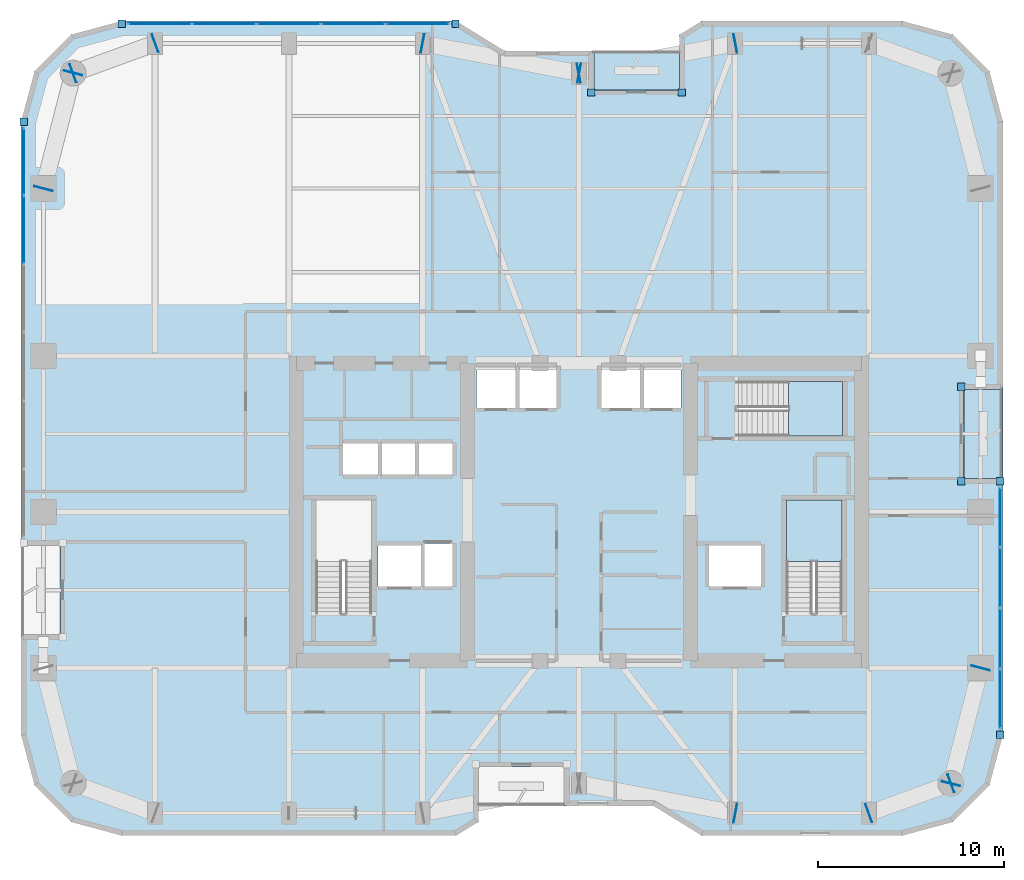
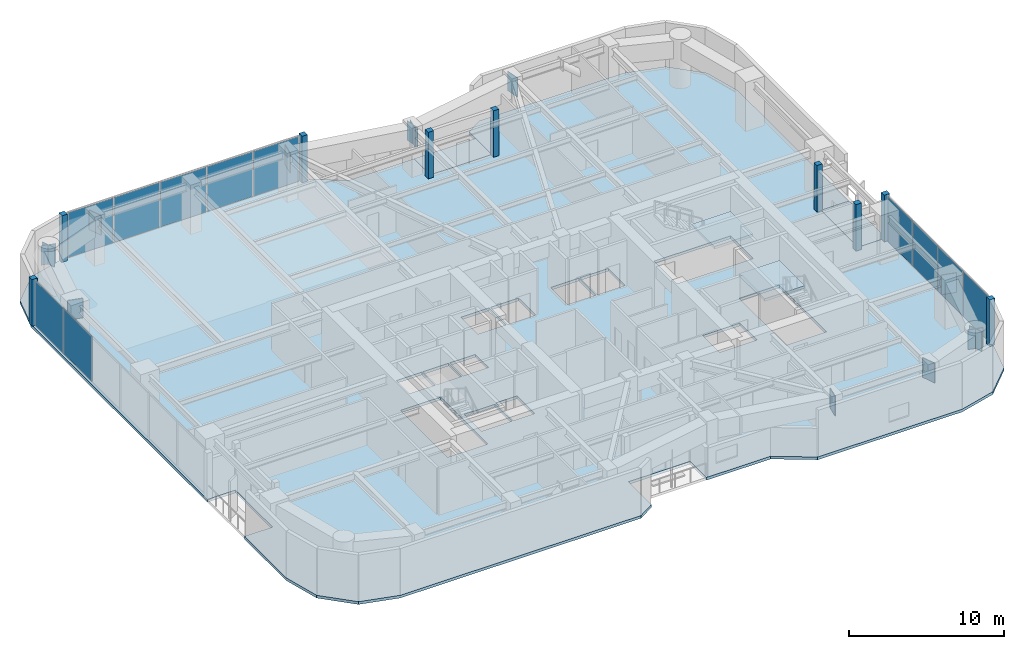
# One storey, part 22 of 30: 33 plates, 5 slabs, 5 elements without a shape of their own.
"""IFC4 building model written with IfcOpenShell, lengths in metres."""

from ifc_helpers import new_model, si_unit, direction, frame, origin, origin_2d, place, context, subcontext, project, spatial, polyline, rectangle, outline, extrude, material, layer, layer_set, type_object, element, aggregate, save


model = new_model("IFC4")

# Units and contexts
model_context = context("Model", 3, precision=1e-05, world=origin(), true_north=direction((0.0, 1.0)))
body_context = subcontext(model_context, "Body", "Model", "MODEL_VIEW")
ifc_project = project(units=[si_unit("LENGTHUNIT", "METRE"), si_unit("AREAUNIT", "SQUARE_METRE"), si_unit("VOLUMEUNIT", "CUBIC_METRE"), si_unit("PLANEANGLEUNIT", "RADIAN"), si_unit("MASSUNIT", "GRAM", prefix="KILO")], contexts=[model_context])

# Site, building, storey
site_placement = place(None, origin())
site = spatial("IfcSite", under=ifc_project, at=site_placement, CompositionType="ELEMENT")
building_placement = place(site_placement, origin())
building = spatial("IfcBuilding", under=site, at=building_placement, Name="Kiyonajd Concourse Tower", CompositionType="ELEMENT")
storey_placement = place(building_placement, frame((0.0, 0.0, 154.5)))
storey = spatial("IfcBuildingStorey", under=building, at=storey_placement, Name="L39", CompositionType="ELEMENT", Elevation=154.5)

# Plates
ifc_material_1 = material(Name="Steel ASTM A572 Grade 50", Category="steel")
ifc_layer_1 = layer(ifc_material_1, 0.031982421875)
ifc_layer_set_1 = layer_set([ifc_layer_1], Name="Steel ASTM A572 Grade 50")
plate_type_1 = type_object("IfcPlateType", Name="PL-CAP-540", PredefinedType="USERDEFINED", material=ifc_layer_set_1)
for number, where, z_axis, x_axis, name in (
    (1, (56.410888671875, 19.7978515625, 2.2099609375), (0.0, 0.0, 1.0), (0.982352599301, -0.187038420242, 0.0), "L39 Welded Box Girder End Cap"),
    (2, (63.589599609375, 19.796142578125, 2.2099609375), (0.0, 0.0, 1.0), (-0.939811951086, -0.341692107891, 0.0), "L39 Welded Box Girder End Cap"),
    (3, (68.01025390625, 21.40380859375, 2.2099609375), (0.0, 0.0, 1.0), (0.939811951086, 0.341692107891, 0.0), "L39 Welded Box Girder End Cap"),
    (4, (67.997314453125, 21.389404296875, 2.2099609375), (0.0, 0.0, 1.0), (-0.249873048837, -0.968278606324, 0.0), "L39 Welded Box Girder End Cap"),
    (5, (69.602783203125, 27.610595703125, 2.2099609375), (0.0, 0.0, 1.0), (0.249873048837, 0.968278606324, 0.0), "L39 Welded Box Girder End Cap"),
    (6, (56.410888671875, 61.2021484375, 2.2099609375), (0.0, 0.0, 1.0), (0.982352599301, 0.187038420242, 0.0), "L39 Welded Box Girder End Cap"),
    (7, (47.9892578125, 59.597900390625, 2.2099609375), (0.0, 0.0, 1.0), (-0.982352599301, -0.187038420242, 0.0), "L39 Welded Box Girder End Cap"),
    (8, (48.0107421875, 59.597900390625, 2.2099609375), (0.0, 0.0, 1.0), (0.982352599301, -0.187038420242, 0.0), "L39 Welded Box Girder End Cap"),
    (9, (39.589111328125, 61.2021484375, 2.2099609375), (0.0, 0.0, 1.0), (-0.982352599301, 0.187038420242, 0.0), "L39 Welded Box Girder End Cap"),
    (10, (25.210205078125, 61.203857421875, 2.2099609375), (0.0, 0.0, 1.0), (0.939811951086, 0.341692107891, 0.0), "L39 Welded Box Girder End Cap"),
    (11, (20.789794921875, 59.59619140625, 2.2099609375), (0.0, 0.0, 1.0), (-0.939811951086, -0.341692107891, 0.0), "L39 Welded Box Girder End Cap"),
    (12, (20.802734375, 59.610595703125, 2.2099609375), (0.0, 0.0, 1.0), (0.249873048837, 0.968278606324, 0.0), "L39 Welded Box Girder End Cap"),
    (13, (19.197265625, 53.389404296875, 2.2099609375), (0.0, 0.0, 1.0), (-0.249873048837, -0.968278606324, 0.0), "L39 Welded Box Girder End Cap"),
):
    element("IfcPlate", number, at=place(storey_placement, frame(where, z_axis=z_axis, x_axis=x_axis)), inside=storey, type_object=plate_type_1, Name=name, ObjectType="CAP PLATE", PredefinedType="USERDEFINED", context=body_context, shape_type="SweptSolid", body=[
        extrude(rectangle(XDim=0.035888671875, YDim=1.02001953125, at=origin_2d()), origin(), (0.0, 0.0, 1.0), 1.5400390625),
    ])

# Curtain wall, plates
ifc_material_2 = material(Name="Thermally Broken Anodised Aluminium", Category="aluminium")
ifc_layer_2 = layer(ifc_material_2, 0.179931640625)
ifc_layer_set_2 = layer_set([ifc_layer_2], Name="Thermally Broken Anodised Aluminium")
curtain_wall_type = type_object("IfcCurtainWallType", Name="CW-SYS-03", PredefinedType="NOTDEFINED", material=ifc_layer_set_2)
curtain_wall_1_placement = place(storey_placement, origin())
curtain_wall_1 = element("IfcCurtainWall", 14, at=curtain_wall_1_placement, inside=storey, type_object=curtain_wall_type, Name="L39 Unitised Curtain Wall CW3", PredefinedType="NOTDEFINED")
ifc_material_3 = material(Name="Double Low-E Insulated Glass", Category="glass")
ifc_layer_3 = layer(ifc_material_3, 0.033935546875)
ifc_layer_set_3 = layer_set([ifc_layer_3], Name="Double Low-E Insulated Glass")
plate_type_2 = type_object("IfcPlateType", Name="PL-CW-VIS34", PredefinedType="CURTAIN_PANEL", material=ifc_layer_set_3)
plate_1_placement = place(storey_placement, frame((18.139892578125, 51.17626953125, 0.06494140625), z_axis=(0.0, 0.0, 1.0), x_axis=(0.0, 1.0, 0.0)))
plate_1 = element("IfcPlate", 15, at=plate_1_placement, type_object=plate_type_2, Name="CW3 panel 5.1", PredefinedType="CURTAIN_PANEL", context=body_context, shape_type="SweptSolid", body=[
    extrude(rectangle(XDim=3.61181640625, YDim=0.033935546875, at=origin_2d()), origin(), (0.0, 0.0, 1.0), 3.550048828125),
])
plate_2_placement = place(storey_placement, frame((18.139892578125, 54.8369140625, 0.06494140625), z_axis=(0.0, 0.0, 1.0), x_axis=(0.0, 1.0, 0.0)))
plate_2 = element("IfcPlate", 16, at=plate_2_placement, type_object=plate_type_2, Name="CW3 panel 6.1", PredefinedType="CURTAIN_PANEL", context=body_context, shape_type="SweptSolid", body=[
    extrude(rectangle(XDim=3.579345703125, YDim=0.033935546875, at=origin_2d()), origin(), (0.0, 0.0, 1.0), 3.550048828125),
])
aggregate(curtain_wall_1, [plate_1, plate_2])

curtain_wall_2_placement = place(storey_placement, origin())
curtain_wall_2 = element("IfcCurtainWall", 17, at=curtain_wall_2_placement, inside=storey, type_object=curtain_wall_type, Name="L39 Unitised Curtain Wall CW3", PredefinedType="NOTDEFINED")
plate_3_placement = place(storey_placement, frame((25.4609375, 62.260009765625, 0.06494140625), z_axis=(0.0, 0.0, 1.0), x_axis=(1.0, 0.0, 0.0)))
plate_3 = element("IfcPlate", 18, at=plate_3_placement, type_object=plate_type_2, Name="CW3 panel 1.1", PredefinedType="CURTAIN_PANEL", context=body_context, shape_type="SweptSolid", body=[
    extrude(rectangle(XDim=3.375, YDim=0.033935546875, at=origin_2d()), origin(), (0.0, 0.0, 1.0), 3.550048828125),
])
plate_4_placement = place(storey_placement, frame((28.9169921875, 62.260009765625, 0.06494140625), z_axis=(0.0, 0.0, 1.0), x_axis=(1.0, 0.0, 0.0)))
plate_4 = element("IfcPlate", 19, at=plate_4_placement, type_object=plate_type_2, Name="CW3 panel 2.1", PredefinedType="CURTAIN_PANEL", context=body_context, shape_type="SweptSolid", body=[
    extrude(rectangle(XDim=3.407470703125, YDim=0.033935546875, at=origin_2d()), origin(), (0.0, 0.0, 1.0), 3.550048828125),
])
plate_5_placement = place(storey_placement, frame((32.389404296875, 62.260009765625, 0.06494140625), z_axis=(0.0, 0.0, 1.0), x_axis=(1.0, 0.0, 0.0)))
plate_5 = element("IfcPlate", 20, at=plate_5_placement, type_object=plate_type_2, Name="CW3 panel 3.1", PredefinedType="CURTAIN_PANEL", context=body_context, shape_type="SweptSolid", body=[
    extrude(rectangle(XDim=3.407470703125, YDim=0.033935546875, at=origin_2d()), origin(), (0.0, 0.0, 1.0), 3.550048828125),
])
plate_6_placement = place(storey_placement, frame((35.86181640625, 62.260009765625, 0.06494140625), z_axis=(0.0, 0.0, 1.0), x_axis=(1.0, 0.0, 0.0)))
plate_6 = element("IfcPlate", 21, at=plate_6_placement, type_object=plate_type_2, Name="CW3 panel 4.1", PredefinedType="CURTAIN_PANEL", context=body_context, shape_type="SweptSolid", body=[
    extrude(rectangle(XDim=3.407470703125, YDim=0.033935546875, at=origin_2d()), origin(), (0.0, 0.0, 1.0), 3.550048828125),
])
plate_7_placement = place(storey_placement, frame((39.31787109375, 62.260009765625, 0.06494140625), z_axis=(0.0, 0.0, 1.0), x_axis=(1.0, 0.0, 0.0)))
plate_7 = element("IfcPlate", 22, at=plate_7_placement, type_object=plate_type_2, Name="CW3 panel 5.1", PredefinedType="CURTAIN_PANEL", context=body_context, shape_type="SweptSolid", body=[
    extrude(rectangle(XDim=3.375, YDim=0.033935546875, at=origin_2d()), origin(), (0.0, 0.0, 1.0), 3.550048828125),
])
aggregate(curtain_wall_2, [plate_3, plate_4, plate_5, plate_6, plate_7])

curtain_wall_3_placement = place(storey_placement, origin())
curtain_wall_3 = element("IfcCurtainWall", 23, at=curtain_wall_3_placement, inside=storey, type_object=curtain_wall_type, Name="L39 Unitised Curtain Wall CW3", PredefinedType="NOTDEFINED")
plate_8_placement = place(storey_placement, frame((70.659912109375, 35.720947265625, 0.06494140625), z_axis=(0.0, 0.0, 1.0), x_axis=(0.0, -1.0, 0.0)))
plate_8 = element("IfcPlate", 24, at=plate_8_placement, type_object=plate_type_2, Name="CW3 panel 1.1", PredefinedType="CURTAIN_PANEL", context=body_context, shape_type="SweptSolid", body=[
    extrude(rectangle(XDim=3.16796875, YDim=0.033935546875, at=origin_2d()), origin(), (0.0, 0.0, 1.0), 3.550048828125),
])
plate_9_placement = place(storey_placement, frame((70.659912109375, 32.471923828125, 0.06494140625), z_axis=(0.0, 0.0, 1.0), x_axis=(0.0, -1.0, 0.0)))
plate_9 = element("IfcPlate", 25, at=plate_9_placement, type_object=plate_type_2, Name="CW3 panel 2.1", PredefinedType="CURTAIN_PANEL", context=body_context, shape_type="SweptSolid", body=[
    extrude(rectangle(XDim=3.200439453125, YDim=0.033935546875, at=origin_2d()), origin(), (0.0, 0.0, 1.0), 3.550048828125),
])
plate_10_placement = place(storey_placement, frame((70.659912109375, 29.20654296875, 0.06494140625), z_axis=(0.0, 0.0, 1.0), x_axis=(0.0, -1.0, 0.0)))
plate_10 = element("IfcPlate", 26, at=plate_10_placement, type_object=plate_type_2, Name="CW3 panel 3.1", PredefinedType="CURTAIN_PANEL", context=body_context, shape_type="SweptSolid", body=[
    extrude(rectangle(XDim=3.200439453125, YDim=0.033935546875, at=origin_2d()), origin(), (0.0, 0.0, 1.0), 3.550048828125),
])
plate_11_placement = place(storey_placement, frame((70.659912109375, 25.957275390625, 0.06494140625), z_axis=(0.0, 0.0, 1.0), x_axis=(0.0, -1.0, 0.0)))
plate_11 = element("IfcPlate", 27, at=plate_11_placement, type_object=plate_type_2, Name="CW3 panel 4.1", PredefinedType="CURTAIN_PANEL", context=body_context, shape_type="SweptSolid", body=[
    extrude(rectangle(XDim=3.16796875, YDim=0.033935546875, at=origin_2d()), origin(), (0.0, 0.0, 1.0), 3.550048828125),
])
aggregate(curtain_wall_3, [plate_8, plate_9, plate_10, plate_11])

# Plates
ifc_layer_4 = layer(ifc_material_2, 0.39990234375)
ifc_layer_set_4 = layer_set([ifc_layer_4], Name="Thermally Broken Anodised Aluminium")
plate_type_3 = type_object("IfcPlateType", Name="PL-JMB-400", PredefinedType="USERDEFINED", material=ifc_layer_set_4)
for number, where, z_axis, x_axis, name in (
    (28, (18.139892578125, 56.981689453125, 0.0), (0.0, 0.0, 1.0), (1.0, 0.0, 0.0), "L39 Facade Jamb Closure Plate 04"),
    (29, (23.41845703125, 62.260009765625, 0.0), (0.0, 0.0, 1.0), (1.0, 0.0, 0.0), "L39 Facade Jamb Closure Plate 05"),
    (30, (41.3603515625, 62.260009765625, 0.0), (0.0, 0.0, 1.0), (1.0, 0.0, 0.0), "L39 Facade Jamb Closure Plate 06"),
    (31, (48.659912109375, 58.56005859375, 0.0), (0.0, 0.0, 1.0), (1.0, 0.0, 0.0), "L39 Facade Jamb Closure Plate 07"),
    (32, (53.5400390625, 58.56005859375, 0.0), (0.0, 0.0, 1.0), (1.0, 0.0, 0.0), "L39 Facade Jamb Closure Plate 08"),
    (33, (68.56005859375, 42.739990234375, 0.0), (0.0, 0.0, 1.0), (1.0, 0.0, 0.0), "L39 Facade Jamb Closure Plate 09"),
    (34, (68.56005859375, 37.659912109375, 0.0), (0.0, 0.0, 1.0), (1.0, 0.0, 0.0), "L39 Facade Jamb Closure Plate 10"),
    (35, (70.659912109375, 37.659912109375, 0.0), (0.0, 0.0, 1.0), (1.0, 0.0, 0.0), "L39 Facade Jamb Closure Plate 11"),
    (36, (70.659912109375, 24.018310546875, 0.0), (0.0, 0.0, 1.0), (1.0, 0.0, 0.0), "L39 Facade Jamb Closure Plate 12"),
):
    element("IfcPlate", number, at=place(storey_placement, frame(where, z_axis=z_axis, x_axis=x_axis)), inside=storey, type_object=plate_type_3, Name=name, ObjectType="JAMB PLATE", PredefinedType="USERDEFINED", context=body_context, shape_type="SweptSolid", body=[
        extrude(rectangle(XDim=0.39990234375, YDim=0.39990234375, at=origin_2d()), origin(), (0.0, 0.0, 1.0), 3.679931640625),
    ])

# Stair, slab
ifc_material_4 = material(Name="Concrete C40/50", Category="concrete")
stair_type = type_object("IfcStairType", Name="ST-DLG-22R", PredefinedType="HALF_TURN_STAIR", material=ifc_material_4)
stair_1_placement = place(storey_placement, origin())
stair_1 = element("IfcStair", 37, at=stair_1_placement, inside=storey, type_object=stair_type, Name="L39 Protected Exit Stair ST2", PredefinedType="HALF_TURN_STAIR")
ifc_layer_5 = layer(ifc_material_4, 0.199951171875)
ifc_layer_set_5 = layer_set([ifc_layer_5], Name="Concrete C40/50")
slab_type_1 = type_object("IfcSlabType", Name="SL-LND-200", PredefinedType="LANDING", material=ifc_layer_set_5)
slab_1_placement = place(storey_placement, frame((0.0, 0.0, 1.75)))
slab_1 = element("IfcSlab", 38, at=slab_1_placement, type_object=slab_type_1, Name="ST2 landing 1", PredefinedType="LANDING", context=body_context, shape_type="SweptSolid", body=[
    extrude(outline(polyline([(62.14990234375, 33.35009765625), (62.14990234375, 36.64990234375), (59.14990234375, 36.64990234375), (59.14990234375, 33.35009765625), (62.14990234375, 33.35009765625)])), origin(), (0.0, 0.0, 1.0), 0.199951171875),
])
aggregate(stair_1, [slab_1])

stair_2_placement = place(storey_placement, origin())
stair_2 = element("IfcStair", 39, at=stair_2_placement, inside=storey, type_object=stair_type, Name="L39 Protected Exit Stair ST3", PredefinedType="HALF_TURN_STAIR")
slab_2_placement = place(storey_placement, frame((0.0, 0.0, 1.75)))
slab_2 = element("IfcSlab", 40, at=slab_2_placement, type_object=slab_type_1, Name="ST3 landing 1", PredefinedType="LANDING", context=body_context, shape_type="SweptSolid", body=[
    extrude(outline(polyline([(59.280029296875, 40.080078125), (62.179931640625, 40.080078125), (62.179931640625, 43.02001953125), (59.280029296875, 43.02001953125), (59.280029296875, 40.080078125)])), origin(), (0.0, 0.0, 1.0), 0.199951171875),
])
aggregate(stair_2, [slab_2])

# Slabs
ifc_material_5 = material(Name="Precast concrete C50/60", Category="concrete")
ifc_layer_6 = layer(ifc_material_5, 0.199951171875)
ifc_layer_set_6 = layer_set([ifc_layer_6], Name="Precast concrete C50/60")
slab_type_2 = type_object("IfcSlabType", Name="SL-LOG-200", PredefinedType="FLOOR", material=ifc_layer_set_6)
slab_3_placement = place(storey_placement, frame((0.0, 0.0, -0.199951171875)))
element("IfcSlab", 41, at=slab_3_placement, inside=storey, type_object=slab_type_2, Name="L39 Recessed Engawa Loggia Terrace Slab LOG-N", PredefinedType="FLOOR", context=body_context, shape_type="SweptSolid", body=[
    extrude(outline(polyline([(48.800048828125, 58.699951171875), (53.39990234375, 58.699951171875), (53.39990234375, 60.800048828125), (48.800048828125, 60.800048828125), (48.800048828125, 58.699951171875)])), origin(), (0.0, 0.0, 1.0), 0.199951171875),
])
slab_4_placement = place(storey_placement, frame((0.0, 0.0, -0.199951171875)))
element("IfcSlab", 42, at=slab_4_placement, inside=storey, type_object=slab_type_2, Name="L39 Recessed Engawa Loggia Terrace Slab LOG-E", PredefinedType="FLOOR", context=body_context, shape_type="SweptSolid", body=[
    extrude(outline(polyline([(68.699951171875, 37.800048828125), (70.800048828125, 37.800048828125), (70.800048828125, 42.60009765625), (68.699951171875, 42.60009765625), (68.699951171875, 37.800048828125)])), origin(), (0.0, 0.0, 1.0), 0.199951171875),
])
ifc_layer_7 = layer(ifc_material_4, 0.219970703125)
ifc_layer_set_7 = layer_set([ifc_layer_7], Name="Concrete C40/50")
slab_type_3 = type_object("IfcSlabType", Name="SL-TWR-220", PredefinedType="FLOOR", material=ifc_layer_set_7)
slab_5_placement = place(storey_placement, frame((0.0, 0.0, -0.219970703125)))
element("IfcSlab", 43, at=slab_5_placement, inside=storey, type_object=slab_type_3, Name="L39 Tower Conditioned Floor Slab", PredefinedType="FLOOR", context=body_context, shape_type="SweptSolid", body=[
    extrude(outline(polyline([(18.722900390625, 21.300048828125), (18.0, 24.0), (18.0, 29.39990234375), (20.10009765625, 29.39990234375), (20.10009765625, 34.199951171875), (18.0, 34.199951171875), (18.0, 57.0), (18.722900390625, 59.699951171875), (20.699951171875, 61.677001953125), (23.39990234375, 62.39990234375), (41.39990234375, 62.39990234375), (44.0, 60.800048828125), (48.800048828125, 60.800048828125), (48.800048828125, 58.699951171875), (53.39990234375, 58.699951171875), (53.39990234375, 61.662109375), (54.60009765625, 62.39990234375), (65.39990234375, 62.39990234375), (68.10009765625, 61.677001953125), (70.076904296875, 59.699951171875), (70.800048828125, 57.0), (70.800048828125, 42.60009765625), (68.699951171875, 42.60009765625), (68.699951171875, 37.800048828125), (70.800048828125, 37.800048828125), (70.800048828125, 24.0), (70.076904296875, 21.300048828125), (68.10009765625, 19.322998046875), (65.39990234375, 18.60009765625), (54.60009765625, 18.60009765625), (52.0, 20.199951171875), (47.199951171875, 20.199951171875), (47.199951171875, 22.300048828125), (42.60009765625, 22.300048828125), (42.60009765625, 19.337890625), (41.39990234375, 18.60009765625), (23.39990234375, 18.60009765625), (20.699951171875, 19.322998046875), (18.722900390625, 21.300048828125)]), holes=[polyline([(39.5, 32.0), (37.199951171875, 32.0), (37.199951171875, 34.199951171875), (39.5, 34.199951171875), (39.5, 32.0)]), polyline([(39.60009765625, 32.0), (39.60009765625, 34.300048828125), (41.199951171875, 34.300048828125), (41.199951171875, 32.0), (39.60009765625, 32.0)]), polyline([(33.85009765625, 30.550048828125), (33.85009765625, 36.64990234375), (36.85009765625, 36.64990234375), (36.85009765625, 30.550048828125), (33.85009765625, 30.550048828125)]), polyline([(37.199951171875, 38.0), (35.300048828125, 38.0), (35.300048828125, 39.699951171875), (37.199951171875, 39.699951171875), (37.199951171875, 38.0)]), polyline([(37.300048828125, 38.0), (37.300048828125, 39.699951171875), (39.199951171875, 39.699951171875), (39.199951171875, 38.0), (37.300048828125, 38.0)]), polyline([(39.300048828125, 38.0), (39.300048828125, 39.699951171875), (41.199951171875, 39.699951171875), (41.199951171875, 38.0), (39.300048828125, 38.0)]), polyline([(44.60009765625, 41.60009765625), (42.5, 41.60009765625), (42.5, 43.800048828125), (44.60009765625, 43.800048828125), (44.60009765625, 41.60009765625)]), polyline([(55.0, 32.0), (55.0, 34.199951171875), (57.800048828125, 34.199951171875), (57.800048828125, 32.0), (55.0, 32.0)]), polyline([(59.14990234375, 30.550048828125), (59.14990234375, 36.64990234375), (62.14990234375, 36.64990234375), (62.14990234375, 30.550048828125), (59.14990234375, 30.550048828125)]), polyline([(56.47998046875, 43.02001953125), (62.179931640625, 43.02001953125), (62.179931640625, 40.080078125), (56.47998046875, 40.080078125), (56.47998046875, 43.02001953125)]), polyline([(44.699951171875, 41.60009765625), (44.699951171875, 43.800048828125), (46.800048828125, 43.800048828125), (46.800048828125, 41.60009765625), (44.699951171875, 41.60009765625)]), polyline([(49.199951171875, 41.60009765625), (49.199951171875, 43.800048828125), (51.300048828125, 43.800048828125), (51.300048828125, 41.60009765625), (49.199951171875, 41.60009765625)]), polyline([(51.39990234375, 41.60009765625), (51.39990234375, 43.800048828125), (53.5, 43.800048828125), (53.5, 41.60009765625), (51.39990234375, 41.60009765625)])]), origin(), (0.0, 0.0, 1.0), 0.219970703125),
])

save(model, "model.ifc")
